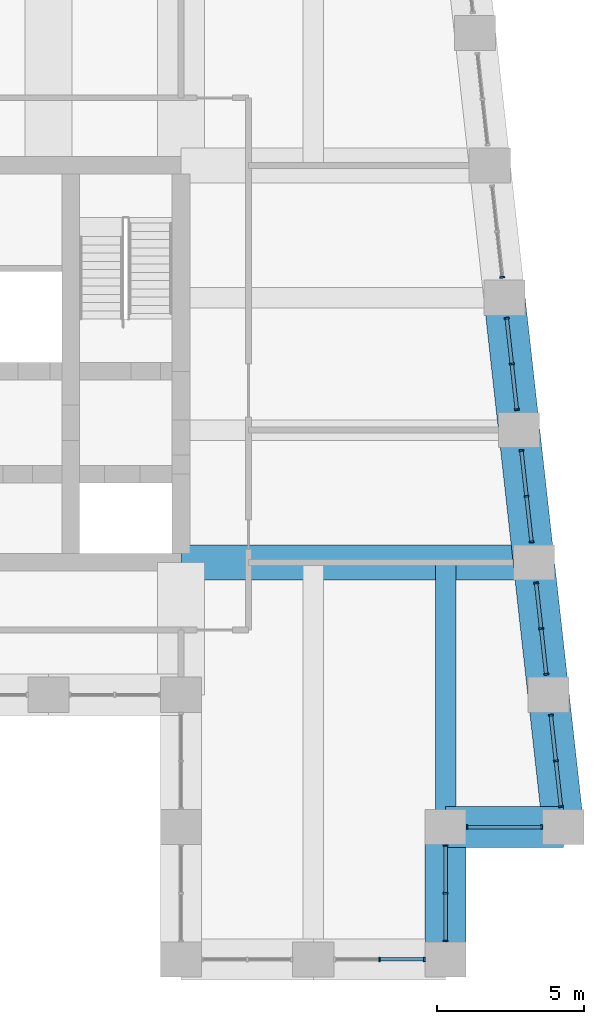
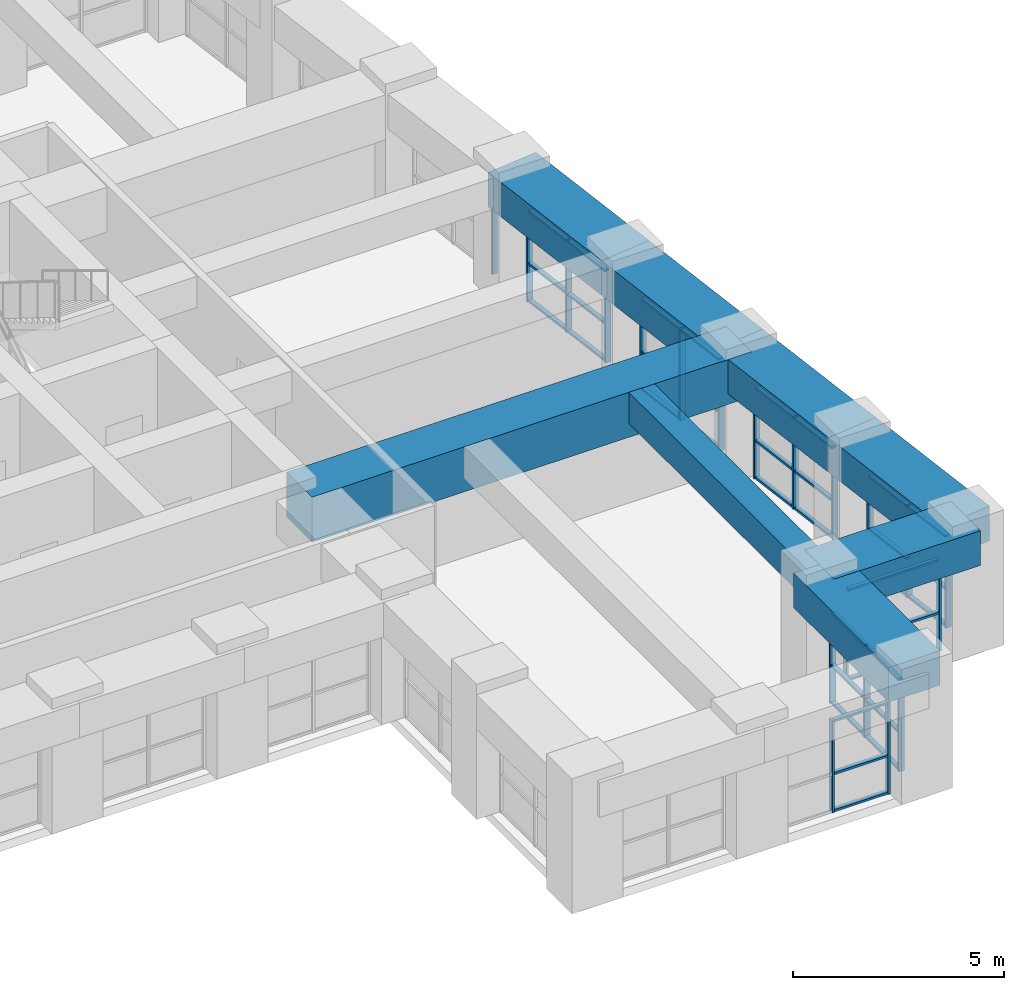
# One storey, part 6 of 15: 56 members, 8 beams, 8 elements without a shape of their own.
"""IFC4 building model written with IfcOpenShell, lengths in metres."""

from ifc_helpers import new_model, si_unit, direction, frame, origin, origin_2d, place, context, subcontext, project, spatial, rectangle, extrude, material, material_profile, profile_set, type_object, element, aggregate, save


model = new_model("IFC4")

# Units and contexts
model_context = context("Model", 3, precision=1e-05, world=origin(), true_north=direction((0.0, 1.0)))
body_context = subcontext(model_context, "Body", "Model", "MODEL_VIEW")
ifc_project = project(units=[si_unit("LENGTHUNIT", "METRE"), si_unit("AREAUNIT", "SQUARE_METRE"), si_unit("VOLUMEUNIT", "CUBIC_METRE"), si_unit("PLANEANGLEUNIT", "RADIAN"), si_unit("MASSUNIT", "GRAM", prefix="KILO")], contexts=[model_context])

# Site, building, storey
site_placement = place(None, origin())
site = spatial("IfcSite", under=ifc_project, at=site_placement, CompositionType="ELEMENT")
building_placement = place(site_placement, origin())
building = spatial("IfcBuilding", under=site, at=building_placement, Name="Kilele Tower Hotel", CompositionType="ELEMENT")
storey_placement = place(building_placement, frame((0.0, 0.0, 285.800048828125)))
storey = spatial("IfcBuildingStorey", under=building, at=storey_placement, Name="L73", CompositionType="ELEMENT", Elevation=285.800048828125)

# Beams
ifc_material_1 = material(Name="Concrete C60/75", Category="concrete")
ifc_material_profile_1 = material_profile(ifc_material_1, rectangle(XDim=0.699951171875, YDim=0.89990234375, at=origin_2d()))
ifc_profile_set_1 = profile_set([ifc_material_profile_1], Name="Concrete C60/75")
beam_type_1 = type_object("IfcBeamType", Name="Beam RC 700x900 C60/75 mid span", PredefinedType="BEAM", material=ifc_profile_set_1)
beam_1_placement = place(storey_placement, frame((45.0, 4.5, 3.14990234375), z_axis=(0.0, 1.0, 0.0), x_axis=(-1.0, 0.0, 0.0)))
element("IfcBeam", 1, at=beam_1_placement, inside=storey, type_object=beam_type_1, Name="Beam B2 level CROWN", PredefinedType="BEAM", context=body_context, shape_type="SweptSolid", body=[
    extrude(rectangle(XDim=0.699951171875, YDim=0.89990234375, at=origin_2d()), origin(), (0.0, 0.0, 1.0), 9.0),
])
ifc_material_2 = material(Name="Concrete C60/75", Category="concrete")
ifc_material_profile_2 = material_profile(ifc_material_2, rectangle(XDim=1.199951171875, YDim=1.300048828125, at=origin_2d()))
ifc_profile_set_2 = profile_set([ifc_material_profile_2], Name="Concrete C60/75")
beam_type_2 = type_object("IfcBeamType", Name="Girder RC 1200x1300 C60/75", PredefinedType="BEAM", material=ifc_profile_set_2)
beam_2_placement = place(storey_placement, frame((48.0, 13.5, 2.949951171875), z_axis=(-1.0, 0.0, 0.0), x_axis=(0.0, -1.0, 0.0)))
element("IfcBeam", 2, at=beam_2_placement, inside=storey, type_object=beam_type_2, Name="Girder G1 level CROWN", PredefinedType="BEAM", context=body_context, shape_type="SweptSolid", body=[
    extrude(rectangle(XDim=1.199951171875, YDim=1.300048828125, at=origin_2d()), origin(), (0.0, 0.0, 1.0), 12.0),
])

# Curtain wall, members
ifc_material_3 = material(Name="Aluminium curtain wall, clear double glazing", Category="aluminium")
curtain_wall_type = type_object("IfcCurtainWallType", Name="Sky bar curtain wall CW-6", PredefinedType="NOTDEFINED", material=ifc_material_3)
curtain_wall_1_placement = place(storey_placement, origin())
curtain_wall_1 = element("IfcCurtainWall", 3, at=curtain_wall_1_placement, inside=storey, type_object=curtain_wall_type, Name="Sky bar curtain wall CW-6 L73", PredefinedType="NOTDEFINED")
ifc_material_4 = material(Name="Aluminium EN AW-6063 T6", Category="aluminium")
ifc_material_profile_3 = material_profile(ifc_material_4, rectangle(XDim=0.159912109375, YDim=0.06005859375, at=origin_2d()))
ifc_profile_set_3 = profile_set([ifc_material_profile_3], Name="Aluminium EN AW-6063 T6")
member_type_1 = type_object("IfcMemberType", Name="Mullion 60x160 CW-6", PredefinedType="MULLION", material=ifc_profile_set_3)
member_1_placement = place(storey_placement, frame((42.75, 0.0, 0.0), z_axis=(0.0, 0.0, 1.0), x_axis=(0.0, 1.0, 0.0)))
member_1 = element("IfcMember", 4, at=member_1_placement, type_object=member_type_1, Name="CW-6 mullion 2", PredefinedType="MULLION", context=body_context, shape_type="SweptSolid", body=[
    extrude(rectangle(XDim=0.159912109375, YDim=0.06005859375, at=origin_2d()), origin(), (0.0, 0.0, 1.0), 2.64990234375),
])
member_2_placement = place(storey_placement, frame((44.27001953125, 0.0, 0.0), z_axis=(0.0, 0.0, 1.0), x_axis=(0.0, 1.0, 0.0)))
member_2 = element("IfcMember", 5, at=member_2_placement, type_object=member_type_1, Name="CW-6 mullion 3", PredefinedType="MULLION", context=body_context, shape_type="SweptSolid", body=[
    extrude(rectangle(XDim=0.159912109375, YDim=0.06005859375, at=origin_2d()), origin(), (0.0, 0.0, 1.0), 2.64990234375),
])

curtain_wall_2_placement = place(storey_placement, origin())
curtain_wall_2 = element("IfcCurtainWall", 6, at=curtain_wall_2_placement, inside=storey, type_object=curtain_wall_type, Name="Sky bar curtain wall CW-6 L73", PredefinedType="NOTDEFINED")
member_3_placement = place(storey_placement, frame((45.0, 0.6298828125, 0.0), z_axis=(0.0, 0.0, 1.0), x_axis=(-1.0, 0.0, 0.0)))
member_3 = element("IfcMember", 7, at=member_3_placement, type_object=member_type_1, Name="CW-6 mullion 1", PredefinedType="MULLION", context=body_context, shape_type="SweptSolid", body=[
    extrude(rectangle(XDim=0.159912109375, YDim=0.06005859375, at=origin_2d()), origin(), (0.0, 0.0, 1.0), 2.64990234375),
])
member_4_placement = place(storey_placement, frame((45.0, 2.25, 0.0), z_axis=(0.0, 0.0, 1.0), x_axis=(-1.0, 0.0, 0.0)))
member_4 = element("IfcMember", 8, at=member_4_placement, type_object=member_type_1, Name="CW-6 mullion 2", PredefinedType="MULLION", context=body_context, shape_type="SweptSolid", body=[
    extrude(rectangle(XDim=0.159912109375, YDim=0.06005859375, at=origin_2d()), origin(), (0.0, 0.0, 1.0), 2.64990234375),
])
member_5_placement = place(storey_placement, frame((45.0, 3.8701171875, 0.0), z_axis=(0.0, 0.0, 1.0), x_axis=(-1.0, 0.0, 0.0)))
member_5 = element("IfcMember", 9, at=member_5_placement, type_object=member_type_1, Name="CW-6 mullion 3", PredefinedType="MULLION", context=body_context, shape_type="SweptSolid", body=[
    extrude(rectangle(XDim=0.159912109375, YDim=0.06005859375, at=origin_2d()), origin(), (0.0, 0.0, 1.0), 2.64990234375),
])

curtain_wall_3_placement = place(storey_placement, origin())
curtain_wall_3 = element("IfcCurtainWall", 10, at=curtain_wall_3_placement, inside=storey, type_object=curtain_wall_type, Name="Sky bar curtain wall CW-6 L73", PredefinedType="NOTDEFINED")
member_6_placement = place(storey_placement, frame((45.72998046875, 4.5, 0.0), z_axis=(0.0, 0.0, 1.0), x_axis=(0.0, 1.0, 0.0)))
member_6 = element("IfcMember", 11, at=member_6_placement, type_object=member_type_1, Name="CW-6 mullion 1", PredefinedType="MULLION", context=body_context, shape_type="SweptSolid", body=[
    extrude(rectangle(XDim=0.159912109375, YDim=0.06005859375, at=origin_2d()), origin(), (0.0, 0.0, 1.0), 2.64990234375),
])
member_7_placement = place(storey_placement, frame((48.27001953125, 4.5, 0.0), z_axis=(0.0, 0.0, 1.0), x_axis=(0.0, 1.0, 0.0)))
member_7 = element("IfcMember", 12, at=member_7_placement, type_object=member_type_1, Name="CW-6 mullion 2", PredefinedType="MULLION", context=body_context, shape_type="SweptSolid", body=[
    extrude(rectangle(XDim=0.159912109375, YDim=0.06005859375, at=origin_2d()), origin(), (0.0, 0.0, 1.0), 2.64990234375),
])

curtain_wall_4_placement = place(storey_placement, origin())
curtain_wall_4 = element("IfcCurtainWall", 13, at=curtain_wall_4_placement, inside=storey, type_object=curtain_wall_type, Name="Sky bar curtain wall CW-6 L73", PredefinedType="NOTDEFINED")
member_8_placement = place(storey_placement, frame((48.92236328125, 5.19921875, 0.0), z_axis=(0.0, 0.0, 1.0), x_axis=(-0.993883734681, -0.110431526007, 0.0)))
member_8 = element("IfcMember", 14, at=member_8_placement, type_object=member_type_1, Name="CW-6 mullion 1", PredefinedType="MULLION", context=body_context, shape_type="SweptSolid", body=[
    extrude(rectangle(XDim=0.159912109375, YDim=0.06005859375, at=origin_2d()), origin(), (0.0, 0.0, 1.0), 2.64990234375),
])
member_9_placement = place(storey_placement, frame((48.75, 6.75, 0.0), z_axis=(0.0, 0.0, 1.0), x_axis=(-0.993883734681, -0.110431526007, 0.0)))
member_9 = element("IfcMember", 15, at=member_9_placement, type_object=member_type_1, Name="CW-6 mullion 2", PredefinedType="MULLION", context=body_context, shape_type="SweptSolid", body=[
    extrude(rectangle(XDim=0.159912109375, YDim=0.06005859375, at=origin_2d()), origin(), (0.0, 0.0, 1.0), 2.64990234375),
])
member_10_placement = place(storey_placement, frame((48.57763671875, 8.30078125, 0.0), z_axis=(0.0, 0.0, 1.0), x_axis=(-0.993883734681, -0.110431526007, 0.0)))
member_10 = element("IfcMember", 16, at=member_10_placement, type_object=member_type_1, Name="CW-6 mullion 3", PredefinedType="MULLION", context=body_context, shape_type="SweptSolid", body=[
    extrude(rectangle(XDim=0.159912109375, YDim=0.06005859375, at=origin_2d()), origin(), (0.0, 0.0, 1.0), 2.64990234375),
])

curtain_wall_5_placement = place(storey_placement, origin())
curtain_wall_5 = element("IfcCurtainWall", 17, at=curtain_wall_5_placement, inside=storey, type_object=curtain_wall_type, Name="Sky bar curtain wall CW-6 L73", PredefinedType="NOTDEFINED")
member_11_placement = place(storey_placement, frame((48.42236328125, 9.69921875, 0.0), z_axis=(0.0, 0.0, 1.0), x_axis=(-0.993883734681, -0.110431526007, 0.0)))
member_11 = element("IfcMember", 18, at=member_11_placement, type_object=member_type_1, Name="CW-6 mullion 1", PredefinedType="MULLION", context=body_context, shape_type="SweptSolid", body=[
    extrude(rectangle(XDim=0.159912109375, YDim=0.06005859375, at=origin_2d()), origin(), (0.0, 0.0, 1.0), 2.64990234375),
])
member_12_placement = place(storey_placement, frame((48.25, 11.25, 0.0), z_axis=(0.0, 0.0, 1.0), x_axis=(-0.993883734681, -0.110431526007, 0.0)))
member_12 = element("IfcMember", 19, at=member_12_placement, type_object=member_type_1, Name="CW-6 mullion 2", PredefinedType="MULLION", context=body_context, shape_type="SweptSolid", body=[
    extrude(rectangle(XDim=0.159912109375, YDim=0.06005859375, at=origin_2d()), origin(), (0.0, 0.0, 1.0), 2.64990234375),
])
member_13_placement = place(storey_placement, frame((48.07763671875, 12.80078125, 0.0), z_axis=(0.0, 0.0, 1.0), x_axis=(-0.993883734681, -0.110431526007, 0.0)))
member_13 = element("IfcMember", 20, at=member_13_placement, type_object=member_type_1, Name="CW-6 mullion 3", PredefinedType="MULLION", context=body_context, shape_type="SweptSolid", body=[
    extrude(rectangle(XDim=0.159912109375, YDim=0.06005859375, at=origin_2d()), origin(), (0.0, 0.0, 1.0), 2.64990234375),
])

curtain_wall_6_placement = place(storey_placement, origin())
curtain_wall_6 = element("IfcCurtainWall", 21, at=curtain_wall_6_placement, inside=storey, type_object=curtain_wall_type, Name="Sky bar curtain wall CW-6 L73", PredefinedType="NOTDEFINED")
member_14_placement = place(storey_placement, frame((47.92236328125, 14.19921875, 0.0), z_axis=(0.0, 0.0, 1.0), x_axis=(-0.993883734681, -0.110431526007, 0.0)))
member_14 = element("IfcMember", 22, at=member_14_placement, type_object=member_type_1, Name="CW-6 mullion 1", PredefinedType="MULLION", context=body_context, shape_type="SweptSolid", body=[
    extrude(rectangle(XDim=0.159912109375, YDim=0.06005859375, at=origin_2d()), origin(), (0.0, 0.0, 1.0), 2.64990234375),
])
member_15_placement = place(storey_placement, frame((47.75, 15.75, 0.0), z_axis=(0.0, 0.0, 1.0), x_axis=(-0.993883734681, -0.110431526007, 0.0)))
member_15 = element("IfcMember", 23, at=member_15_placement, type_object=member_type_1, Name="CW-6 mullion 2", PredefinedType="MULLION", context=body_context, shape_type="SweptSolid", body=[
    extrude(rectangle(XDim=0.159912109375, YDim=0.06005859375, at=origin_2d()), origin(), (0.0, 0.0, 1.0), 2.64990234375),
])
member_16_placement = place(storey_placement, frame((47.57763671875, 17.30078125, 0.0), z_axis=(0.0, 0.0, 1.0), x_axis=(-0.993883734681, -0.110431526007, 0.0)))
member_16 = element("IfcMember", 24, at=member_16_placement, type_object=member_type_1, Name="CW-6 mullion 3", PredefinedType="MULLION", context=body_context, shape_type="SweptSolid", body=[
    extrude(rectangle(XDim=0.159912109375, YDim=0.06005859375, at=origin_2d()), origin(), (0.0, 0.0, 1.0), 2.64990234375),
])

curtain_wall_7_placement = place(storey_placement, origin())
curtain_wall_7 = element("IfcCurtainWall", 25, at=curtain_wall_7_placement, inside=storey, type_object=curtain_wall_type, Name="Sky bar curtain wall CW-6 L73", PredefinedType="NOTDEFINED")
member_17_placement = place(storey_placement, frame((47.42236328125, 18.69921875, 0.0), z_axis=(0.0, 0.0, 1.0), x_axis=(-0.993883734681, -0.110431526007, 0.0)))
member_17 = element("IfcMember", 26, at=member_17_placement, type_object=member_type_1, Name="CW-6 mullion 1", PredefinedType="MULLION", context=body_context, shape_type="SweptSolid", body=[
    extrude(rectangle(XDim=0.159912109375, YDim=0.06005859375, at=origin_2d()), origin(), (0.0, 0.0, 1.0), 2.64990234375),
])
member_18_placement = place(storey_placement, frame((47.25, 20.25, 0.0), z_axis=(0.0, 0.0, 1.0), x_axis=(-0.993883734681, -0.110431526007, 0.0)))
member_18 = element("IfcMember", 27, at=member_18_placement, type_object=member_type_1, Name="CW-6 mullion 2", PredefinedType="MULLION", context=body_context, shape_type="SweptSolid", body=[
    extrude(rectangle(XDim=0.159912109375, YDim=0.06005859375, at=origin_2d()), origin(), (0.0, 0.0, 1.0), 2.64990234375),
])
member_19_placement = place(storey_placement, frame((47.07763671875, 21.80078125, 0.0), z_axis=(0.0, 0.0, 1.0), x_axis=(-0.993883734681, -0.110431526007, 0.0)))
member_19 = element("IfcMember", 28, at=member_19_placement, type_object=member_type_1, Name="CW-6 mullion 3", PredefinedType="MULLION", context=body_context, shape_type="SweptSolid", body=[
    extrude(rectangle(XDim=0.159912109375, YDim=0.06005859375, at=origin_2d()), origin(), (0.0, 0.0, 1.0), 2.64990234375),
])

# Curtain wall, member
curtain_wall_8_placement = place(storey_placement, origin())
curtain_wall_8 = element("IfcCurtainWall", 29, at=curtain_wall_8_placement, inside=storey, type_object=curtain_wall_type, Name="Sky bar curtain wall CW-6 L73", PredefinedType="NOTDEFINED")
member_20_placement = place(storey_placement, frame((46.92236328125, 23.19921875, 0.0), z_axis=(0.0, 0.0, 1.0), x_axis=(-0.993883734681, -0.110431526007, 0.0)))
member_20 = element("IfcMember", 30, at=member_20_placement, type_object=member_type_1, Name="CW-6 mullion 1", PredefinedType="MULLION", context=body_context, shape_type="SweptSolid", body=[
    extrude(rectangle(XDim=0.159912109375, YDim=0.06005859375, at=origin_2d()), origin(), (0.0, 0.0, 1.0), 2.64990234375),
])
aggregate(curtain_wall_8, [member_20])

# Beams
ifc_material_5 = material(Name="Concrete C60/75", Category="concrete")
ifc_material_profile_4 = material_profile(ifc_material_5, rectangle(XDim=1.39990234375, YDim=1.0, at=origin_2d()))
ifc_profile_set_4 = profile_set([ifc_material_profile_4], Name="Concrete C60/75")
beam_type_3 = type_object("IfcBeamType", Name="Spandrel RC 1400x1000 C60/75", PredefinedType="SPANDREL", material=ifc_profile_set_4)
beam_3_placement = place(storey_placement, frame((45.0, 0.0, 3.099853515625), z_axis=(0.0, 1.0, 0.0), x_axis=(-1.0, 0.0, 0.0)))
element("IfcBeam", 31, at=beam_3_placement, inside=storey, type_object=beam_type_3, Name="Spandrel SP1 level CROWN", PredefinedType="SPANDREL", context=body_context, shape_type="SweptSolid", body=[
    extrude(rectangle(XDim=1.39990234375, YDim=1.0, at=origin_2d()), origin(), (0.0, 0.0, 1.0), 4.5),
])
beam_4_placement = place(storey_placement, frame((45.0, 4.5, 3.099853515625), z_axis=(1.0, 0.0, 0.0), x_axis=(0.0, 1.0, 0.0)))
element("IfcBeam", 32, at=beam_4_placement, inside=storey, type_object=beam_type_3, Name="Spandrel SP1 level CROWN", PredefinedType="SPANDREL", context=body_context, shape_type="SweptSolid", body=[
    extrude(rectangle(XDim=1.39990234375, YDim=1.0, at=origin_2d()), origin(), (0.0, 0.0, 1.0), 4.0),
])
for number, where, z_axis, x_axis, name in (
    (33, (49.0, 4.5, 3.099853515625), (-0.110431526075, 0.993883734674, 0.0), (-0.993883734674, -0.110431526075, 0.0), "Spandrel SP1 level CROWN"),
    (34, (48.5, 9.0, 3.099853515625), (-0.110431526075, 0.993883734674, 0.0), (-0.993883734674, -0.110431526075, 0.0), "Spandrel SP1 level CROWN"),
    (35, (48.0, 13.5, 3.099853515625), (-0.110431526075, 0.993883734674, 0.0), (-0.993883734674, -0.110431526075, 0.0), "Spandrel SP1 level CROWN"),
    (36, (47.5, 18.0, 3.099853515625), (-0.110431526075, 0.993883734674, 0.0), (-0.993883734674, -0.110431526075, 0.0), "Spandrel SP1 level CROWN"),
):
    element("IfcBeam", number, at=place(storey_placement, frame(where, z_axis=z_axis, x_axis=x_axis)), inside=storey, type_object=beam_type_3, Name=name, PredefinedType="SPANDREL", context=body_context, shape_type="SweptSolid", body=[
        extrude(rectangle(XDim=1.39990234375, YDim=1.0, at=origin_2d()), origin(), (0.0, 0.0, 1.0), 4.527587890625),
    ])

# Member
ifc_material_6 = material(Name="Aluminium EN AW-6063 T6", Category="aluminium")
ifc_material_profile_5 = material_profile(ifc_material_6, rectangle(XDim=0.1201171875, YDim=0.06005859375, at=origin_2d()))
ifc_profile_set_5 = profile_set([ifc_material_profile_5], Name="Aluminium EN AW-6063 T6")
member_type_2 = type_object("IfcMemberType", Name="Transom 60x120 CW-6", PredefinedType="USERDEFINED", material=ifc_profile_set_5)
member_21_placement = place(storey_placement, frame((42.780029296875, 0.0, 0.030029296875), z_axis=(1.0, 0.0, 0.0), x_axis=(0.0, 1.0, 0.0)))
member_21 = element("IfcMember", 37, at=member_21_placement, type_object=member_type_2, Name="CW-6 transom 2.1", ObjectType="TRANSOM", PredefinedType="USERDEFINED", context=body_context, shape_type="SweptSolid", body=[
    extrude(rectangle(XDim=0.1201171875, YDim=0.06005859375, at=origin_2d()), origin(), (0.0, 0.0, 1.0), 1.4599609375),
])

member_22_placement = place(storey_placement, frame((42.780029296875, 0.0, 1.099853515625), z_axis=(1.0, 0.0, 0.0), x_axis=(0.0, 1.0, 0.0)))
member_22 = element("IfcMember", 38, at=member_22_placement, type_object=member_type_2, Name="CW-6 transom 2.2", ObjectType="TRANSOM", PredefinedType="USERDEFINED", context=body_context, shape_type="SweptSolid", body=[
    extrude(rectangle(XDim=0.1201171875, YDim=0.06005859375, at=origin_2d()), origin(), (0.0, 0.0, 1.0), 1.4599609375),
])

member_23_placement = place(storey_placement, frame((42.780029296875, 0.0, 2.619873046875), z_axis=(1.0, 0.0, 0.0), x_axis=(0.0, 1.0, 0.0)))
member_23 = element("IfcMember", 39, at=member_23_placement, type_object=member_type_2, Name="CW-6 transom 2.3", ObjectType="TRANSOM", PredefinedType="USERDEFINED", context=body_context, shape_type="SweptSolid", body=[
    extrude(rectangle(XDim=0.1201171875, YDim=0.06005859375, at=origin_2d()), origin(), (0.0, 0.0, 1.0), 1.4599609375),
])

aggregate(curtain_wall_1, [member_1, member_2, member_21, member_22, member_23])

member_24_placement = place(storey_placement, frame((45.0, 0.659912109375, 0.030029296875), z_axis=(0.0, 1.0, 0.0), x_axis=(-1.0, 0.0, 0.0)))
member_24 = element("IfcMember", 40, at=member_24_placement, type_object=member_type_2, Name="CW-6 transom 1.1", ObjectType="TRANSOM", PredefinedType="USERDEFINED", context=body_context, shape_type="SweptSolid", body=[
    extrude(rectangle(XDim=0.1201171875, YDim=0.06005859375, at=origin_2d()), origin(), (0.0, 0.0, 1.0), 1.56005859375),
])

member_25_placement = place(storey_placement, frame((45.0, 0.659912109375, 1.099853515625), z_axis=(0.0, 1.0, 0.0), x_axis=(-1.0, 0.0, 0.0)))
member_25 = element("IfcMember", 41, at=member_25_placement, type_object=member_type_2, Name="CW-6 transom 1.2", ObjectType="TRANSOM", PredefinedType="USERDEFINED", context=body_context, shape_type="SweptSolid", body=[
    extrude(rectangle(XDim=0.1201171875, YDim=0.06005859375, at=origin_2d()), origin(), (0.0, 0.0, 1.0), 1.56005859375),
])

member_26_placement = place(storey_placement, frame((45.0, 0.659912109375, 2.619873046875), z_axis=(0.0, 1.0, 0.0), x_axis=(-1.0, 0.0, 0.0)))
member_26 = element("IfcMember", 42, at=member_26_placement, type_object=member_type_2, Name="CW-6 transom 1.3", ObjectType="TRANSOM", PredefinedType="USERDEFINED", context=body_context, shape_type="SweptSolid", body=[
    extrude(rectangle(XDim=0.1201171875, YDim=0.06005859375, at=origin_2d()), origin(), (0.0, 0.0, 1.0), 1.56005859375),
])

member_27_placement = place(storey_placement, frame((45.0, 2.280029296875, 0.030029296875), z_axis=(0.0, 1.0, 0.0), x_axis=(-1.0, 0.0, 0.0)))
member_27 = element("IfcMember", 43, at=member_27_placement, type_object=member_type_2, Name="CW-6 transom 2.1", ObjectType="TRANSOM", PredefinedType="USERDEFINED", context=body_context, shape_type="SweptSolid", body=[
    extrude(rectangle(XDim=0.1201171875, YDim=0.06005859375, at=origin_2d()), origin(), (0.0, 0.0, 1.0), 1.56005859375),
])

member_28_placement = place(storey_placement, frame((45.0, 2.280029296875, 1.099853515625), z_axis=(0.0, 1.0, 0.0), x_axis=(-1.0, 0.0, 0.0)))
member_28 = element("IfcMember", 44, at=member_28_placement, type_object=member_type_2, Name="CW-6 transom 2.2", ObjectType="TRANSOM", PredefinedType="USERDEFINED", context=body_context, shape_type="SweptSolid", body=[
    extrude(rectangle(XDim=0.1201171875, YDim=0.06005859375, at=origin_2d()), origin(), (0.0, 0.0, 1.0), 1.56005859375),
])

member_29_placement = place(storey_placement, frame((45.0, 2.280029296875, 2.619873046875), z_axis=(0.0, 1.0, 0.0), x_axis=(-1.0, 0.0, 0.0)))
member_29 = element("IfcMember", 45, at=member_29_placement, type_object=member_type_2, Name="CW-6 transom 2.3", ObjectType="TRANSOM", PredefinedType="USERDEFINED", context=body_context, shape_type="SweptSolid", body=[
    extrude(rectangle(XDim=0.1201171875, YDim=0.06005859375, at=origin_2d()), origin(), (0.0, 0.0, 1.0), 1.56005859375),
])

aggregate(curtain_wall_2, [member_3, member_4, member_5, member_24, member_25, member_26, member_27, member_28, member_29])

member_30_placement = place(storey_placement, frame((45.760009765625, 4.5, 0.030029296875), z_axis=(1.0, 0.0, 0.0), x_axis=(0.0, 1.0, 0.0)))
member_30 = element("IfcMember", 46, at=member_30_placement, type_object=member_type_2, Name="CW-6 transom 1.1", ObjectType="TRANSOM", PredefinedType="USERDEFINED", context=body_context, shape_type="SweptSolid", body=[
    extrude(rectangle(XDim=0.1201171875, YDim=0.06005859375, at=origin_2d()), origin(), (0.0, 0.0, 1.0), 2.47998046875),
])

member_31_placement = place(storey_placement, frame((45.760009765625, 4.5, 1.099853515625), z_axis=(1.0, 0.0, 0.0), x_axis=(0.0, 1.0, 0.0)))
member_31 = element("IfcMember", 47, at=member_31_placement, type_object=member_type_2, Name="CW-6 transom 1.2", ObjectType="TRANSOM", PredefinedType="USERDEFINED", context=body_context, shape_type="SweptSolid", body=[
    extrude(rectangle(XDim=0.1201171875, YDim=0.06005859375, at=origin_2d()), origin(), (0.0, 0.0, 1.0), 2.47998046875),
])

member_32_placement = place(storey_placement, frame((45.760009765625, 4.5, 2.619873046875), z_axis=(1.0, 0.0, 0.0), x_axis=(0.0, 1.0, 0.0)))
member_32 = element("IfcMember", 48, at=member_32_placement, type_object=member_type_2, Name="CW-6 transom 1.3", ObjectType="TRANSOM", PredefinedType="USERDEFINED", context=body_context, shape_type="SweptSolid", body=[
    extrude(rectangle(XDim=0.1201171875, YDim=0.06005859375, at=origin_2d()), origin(), (0.0, 0.0, 1.0), 2.47998046875),
])

aggregate(curtain_wall_3, [member_6, member_7, member_30, member_31, member_32])

member_33_placement = place(storey_placement, frame((48.9189453125, 5.229248046875, 0.030029296875), z_axis=(-0.110342213455, 0.993893654236, 0.0), x_axis=(-0.993893654236, -0.110342213455, 0.0)))
member_33 = element("IfcMember", 49, at=member_33_placement, type_object=member_type_2, Name="CW-6 transom 1.1", ObjectType="TRANSOM", PredefinedType="USERDEFINED", context=body_context, shape_type="SweptSolid", body=[
    extrude(rectangle(XDim=0.1201171875, YDim=0.06005859375, at=origin_2d()), origin(), (0.0, 0.0, 1.0), 1.500244140625),
])

member_34_placement = place(storey_placement, frame((48.9189453125, 5.229248046875, 1.099853515625), z_axis=(-0.110342213455, 0.993893654236, 0.0), x_axis=(-0.993893654236, -0.110342213455, 0.0)))
member_34 = element("IfcMember", 50, at=member_34_placement, type_object=member_type_2, Name="CW-6 transom 1.2", ObjectType="TRANSOM", PredefinedType="USERDEFINED", context=body_context, shape_type="SweptSolid", body=[
    extrude(rectangle(XDim=0.1201171875, YDim=0.06005859375, at=origin_2d()), origin(), (0.0, 0.0, 1.0), 1.500244140625),
])

member_35_placement = place(storey_placement, frame((48.9189453125, 5.229248046875, 2.619873046875), z_axis=(-0.110342213455, 0.993893654236, 0.0), x_axis=(-0.993893654236, -0.110342213455, 0.0)))
member_35 = element("IfcMember", 51, at=member_35_placement, type_object=member_type_2, Name="CW-6 transom 1.3", ObjectType="TRANSOM", PredefinedType="USERDEFINED", context=body_context, shape_type="SweptSolid", body=[
    extrude(rectangle(XDim=0.1201171875, YDim=0.06005859375, at=origin_2d()), origin(), (0.0, 0.0, 1.0), 1.500244140625),
])

member_36_placement = place(storey_placement, frame((48.74658203125, 6.77978515625, 0.030029296875), z_axis=(-0.110342213455, 0.993893654236, 0.0), x_axis=(-0.993893654236, -0.110342213455, 0.0)))
member_36 = element("IfcMember", 52, at=member_36_placement, type_object=member_type_2, Name="CW-6 transom 2.1", ObjectType="TRANSOM", PredefinedType="USERDEFINED", context=body_context, shape_type="SweptSolid", body=[
    extrude(rectangle(XDim=0.1201171875, YDim=0.06005859375, at=origin_2d()), origin(), (0.0, 0.0, 1.0), 1.500244140625),
])

member_37_placement = place(storey_placement, frame((48.74658203125, 6.77978515625, 1.099853515625), z_axis=(-0.110342213455, 0.993893654236, 0.0), x_axis=(-0.993893654236, -0.110342213455, 0.0)))
member_37 = element("IfcMember", 53, at=member_37_placement, type_object=member_type_2, Name="CW-6 transom 2.2", ObjectType="TRANSOM", PredefinedType="USERDEFINED", context=body_context, shape_type="SweptSolid", body=[
    extrude(rectangle(XDim=0.1201171875, YDim=0.06005859375, at=origin_2d()), origin(), (0.0, 0.0, 1.0), 1.500244140625),
])

member_38_placement = place(storey_placement, frame((48.74658203125, 6.77978515625, 2.619873046875), z_axis=(-0.110342213455, 0.993893654236, 0.0), x_axis=(-0.993893654236, -0.110342213455, 0.0)))
member_38 = element("IfcMember", 54, at=member_38_placement, type_object=member_type_2, Name="CW-6 transom 2.3", ObjectType="TRANSOM", PredefinedType="USERDEFINED", context=body_context, shape_type="SweptSolid", body=[
    extrude(rectangle(XDim=0.1201171875, YDim=0.06005859375, at=origin_2d()), origin(), (0.0, 0.0, 1.0), 1.500244140625),
])

aggregate(curtain_wall_4, [member_8, member_9, member_10, member_33, member_34, member_35, member_36, member_37, member_38])

member_39_placement = place(storey_placement, frame((48.4189453125, 9.729248046875, 0.030029296875), z_axis=(-0.110342213455, 0.993893654236, 0.0), x_axis=(-0.993893654236, -0.110342213455, 0.0)))
member_39 = element("IfcMember", 55, at=member_39_placement, type_object=member_type_2, Name="CW-6 transom 1.1", ObjectType="TRANSOM", PredefinedType="USERDEFINED", context=body_context, shape_type="SweptSolid", body=[
    extrude(rectangle(XDim=0.1201171875, YDim=0.06005859375, at=origin_2d()), origin(), (0.0, 0.0, 1.0), 1.500244140625),
])

member_40_placement = place(storey_placement, frame((48.4189453125, 9.729248046875, 1.099853515625), z_axis=(-0.110342213455, 0.993893654236, 0.0), x_axis=(-0.993893654236, -0.110342213455, 0.0)))
member_40 = element("IfcMember", 56, at=member_40_placement, type_object=member_type_2, Name="CW-6 transom 1.2", ObjectType="TRANSOM", PredefinedType="USERDEFINED", context=body_context, shape_type="SweptSolid", body=[
    extrude(rectangle(XDim=0.1201171875, YDim=0.06005859375, at=origin_2d()), origin(), (0.0, 0.0, 1.0), 1.500244140625),
])

member_41_placement = place(storey_placement, frame((48.4189453125, 9.729248046875, 2.619873046875), z_axis=(-0.110342213455, 0.993893654236, 0.0), x_axis=(-0.993893654236, -0.110342213455, 0.0)))
member_41 = element("IfcMember", 57, at=member_41_placement, type_object=member_type_2, Name="CW-6 transom 1.3", ObjectType="TRANSOM", PredefinedType="USERDEFINED", context=body_context, shape_type="SweptSolid", body=[
    extrude(rectangle(XDim=0.1201171875, YDim=0.06005859375, at=origin_2d()), origin(), (0.0, 0.0, 1.0), 1.500244140625),
])

member_42_placement = place(storey_placement, frame((48.24658203125, 11.27978515625, 0.030029296875), z_axis=(-0.110342213455, 0.993893654236, 0.0), x_axis=(-0.993893654236, -0.110342213455, 0.0)))
member_42 = element("IfcMember", 58, at=member_42_placement, type_object=member_type_2, Name="CW-6 transom 2.1", ObjectType="TRANSOM", PredefinedType="USERDEFINED", context=body_context, shape_type="SweptSolid", body=[
    extrude(rectangle(XDim=0.1201171875, YDim=0.06005859375, at=origin_2d()), origin(), (0.0, 0.0, 1.0), 1.500244140625),
])

member_43_placement = place(storey_placement, frame((48.24658203125, 11.27978515625, 1.099853515625), z_axis=(-0.110342213455, 0.993893654236, 0.0), x_axis=(-0.993893654236, -0.110342213455, 0.0)))
member_43 = element("IfcMember", 59, at=member_43_placement, type_object=member_type_2, Name="CW-6 transom 2.2", ObjectType="TRANSOM", PredefinedType="USERDEFINED", context=body_context, shape_type="SweptSolid", body=[
    extrude(rectangle(XDim=0.1201171875, YDim=0.06005859375, at=origin_2d()), origin(), (0.0, 0.0, 1.0), 1.500244140625),
])

member_44_placement = place(storey_placement, frame((48.24658203125, 11.27978515625, 2.619873046875), z_axis=(-0.110342213455, 0.993893654236, 0.0), x_axis=(-0.993893654236, -0.110342213455, 0.0)))
member_44 = element("IfcMember", 60, at=member_44_placement, type_object=member_type_2, Name="CW-6 transom 2.3", ObjectType="TRANSOM", PredefinedType="USERDEFINED", context=body_context, shape_type="SweptSolid", body=[
    extrude(rectangle(XDim=0.1201171875, YDim=0.06005859375, at=origin_2d()), origin(), (0.0, 0.0, 1.0), 1.500244140625),
])

aggregate(curtain_wall_5, [member_11, member_12, member_13, member_39, member_40, member_41, member_42, member_43, member_44])

member_45_placement = place(storey_placement, frame((47.9189453125, 14.229248046875, 0.030029296875), z_axis=(-0.110342213455, 0.993893654236, 0.0), x_axis=(-0.993893654236, -0.110342213455, 0.0)))
member_45 = element("IfcMember", 61, at=member_45_placement, type_object=member_type_2, Name="CW-6 transom 1.1", ObjectType="TRANSOM", PredefinedType="USERDEFINED", context=body_context, shape_type="SweptSolid", body=[
    extrude(rectangle(XDim=0.1201171875, YDim=0.06005859375, at=origin_2d()), origin(), (0.0, 0.0, 1.0), 1.500244140625),
])

member_46_placement = place(storey_placement, frame((47.9189453125, 14.229248046875, 1.099853515625), z_axis=(-0.110342213455, 0.993893654236, 0.0), x_axis=(-0.993893654236, -0.110342213455, 0.0)))
member_46 = element("IfcMember", 62, at=member_46_placement, type_object=member_type_2, Name="CW-6 transom 1.2", ObjectType="TRANSOM", PredefinedType="USERDEFINED", context=body_context, shape_type="SweptSolid", body=[
    extrude(rectangle(XDim=0.1201171875, YDim=0.06005859375, at=origin_2d()), origin(), (0.0, 0.0, 1.0), 1.500244140625),
])

member_47_placement = place(storey_placement, frame((47.9189453125, 14.229248046875, 2.619873046875), z_axis=(-0.110342213455, 0.993893654236, 0.0), x_axis=(-0.993893654236, -0.110342213455, 0.0)))
member_47 = element("IfcMember", 63, at=member_47_placement, type_object=member_type_2, Name="CW-6 transom 1.3", ObjectType="TRANSOM", PredefinedType="USERDEFINED", context=body_context, shape_type="SweptSolid", body=[
    extrude(rectangle(XDim=0.1201171875, YDim=0.06005859375, at=origin_2d()), origin(), (0.0, 0.0, 1.0), 1.500244140625),
])

member_48_placement = place(storey_placement, frame((47.74658203125, 15.77978515625, 0.030029296875), z_axis=(-0.110342213455, 0.993893654236, 0.0), x_axis=(-0.993893654236, -0.110342213455, 0.0)))
member_48 = element("IfcMember", 64, at=member_48_placement, type_object=member_type_2, Name="CW-6 transom 2.1", ObjectType="TRANSOM", PredefinedType="USERDEFINED", context=body_context, shape_type="SweptSolid", body=[
    extrude(rectangle(XDim=0.1201171875, YDim=0.06005859375, at=origin_2d()), origin(), (0.0, 0.0, 1.0), 1.500244140625),
])

member_49_placement = place(storey_placement, frame((47.74658203125, 15.77978515625, 1.099853515625), z_axis=(-0.110342213455, 0.993893654236, 0.0), x_axis=(-0.993893654236, -0.110342213455, 0.0)))
member_49 = element("IfcMember", 65, at=member_49_placement, type_object=member_type_2, Name="CW-6 transom 2.2", ObjectType="TRANSOM", PredefinedType="USERDEFINED", context=body_context, shape_type="SweptSolid", body=[
    extrude(rectangle(XDim=0.1201171875, YDim=0.06005859375, at=origin_2d()), origin(), (0.0, 0.0, 1.0), 1.500244140625),
])

member_50_placement = place(storey_placement, frame((47.74658203125, 15.77978515625, 2.619873046875), z_axis=(-0.110342213455, 0.993893654236, 0.0), x_axis=(-0.993893654236, -0.110342213455, 0.0)))
member_50 = element("IfcMember", 66, at=member_50_placement, type_object=member_type_2, Name="CW-6 transom 2.3", ObjectType="TRANSOM", PredefinedType="USERDEFINED", context=body_context, shape_type="SweptSolid", body=[
    extrude(rectangle(XDim=0.1201171875, YDim=0.06005859375, at=origin_2d()), origin(), (0.0, 0.0, 1.0), 1.500244140625),
])

aggregate(curtain_wall_6, [member_14, member_15, member_16, member_45, member_46, member_47, member_48, member_49, member_50])

member_51_placement = place(storey_placement, frame((47.4189453125, 18.729248046875, 0.030029296875), z_axis=(-0.110342213455, 0.993893654236, 0.0), x_axis=(-0.993893654236, -0.110342213455, 0.0)))
member_51 = element("IfcMember", 67, at=member_51_placement, type_object=member_type_2, Name="CW-6 transom 1.1", ObjectType="TRANSOM", PredefinedType="USERDEFINED", context=body_context, shape_type="SweptSolid", body=[
    extrude(rectangle(XDim=0.1201171875, YDim=0.06005859375, at=origin_2d()), origin(), (0.0, 0.0, 1.0), 1.500244140625),
])

member_52_placement = place(storey_placement, frame((47.4189453125, 18.729248046875, 1.099853515625), z_axis=(-0.110342213455, 0.993893654236, 0.0), x_axis=(-0.993893654236, -0.110342213455, 0.0)))
member_52 = element("IfcMember", 68, at=member_52_placement, type_object=member_type_2, Name="CW-6 transom 1.2", ObjectType="TRANSOM", PredefinedType="USERDEFINED", context=body_context, shape_type="SweptSolid", body=[
    extrude(rectangle(XDim=0.1201171875, YDim=0.06005859375, at=origin_2d()), origin(), (0.0, 0.0, 1.0), 1.500244140625),
])

member_53_placement = place(storey_placement, frame((47.4189453125, 18.729248046875, 2.619873046875), z_axis=(-0.110342213455, 0.993893654236, 0.0), x_axis=(-0.993893654236, -0.110342213455, 0.0)))
member_53 = element("IfcMember", 69, at=member_53_placement, type_object=member_type_2, Name="CW-6 transom 1.3", ObjectType="TRANSOM", PredefinedType="USERDEFINED", context=body_context, shape_type="SweptSolid", body=[
    extrude(rectangle(XDim=0.1201171875, YDim=0.06005859375, at=origin_2d()), origin(), (0.0, 0.0, 1.0), 1.500244140625),
])

member_54_placement = place(storey_placement, frame((47.24658203125, 20.27978515625, 0.030029296875), z_axis=(-0.110342213455, 0.993893654236, 0.0), x_axis=(-0.993893654236, -0.110342213455, 0.0)))
member_54 = element("IfcMember", 70, at=member_54_placement, type_object=member_type_2, Name="CW-6 transom 2.1", ObjectType="TRANSOM", PredefinedType="USERDEFINED", context=body_context, shape_type="SweptSolid", body=[
    extrude(rectangle(XDim=0.1201171875, YDim=0.06005859375, at=origin_2d()), origin(), (0.0, 0.0, 1.0), 1.500244140625),
])

member_55_placement = place(storey_placement, frame((47.24658203125, 20.27978515625, 1.099853515625), z_axis=(-0.110342213455, 0.993893654236, 0.0), x_axis=(-0.993893654236, -0.110342213455, 0.0)))
member_55 = element("IfcMember", 71, at=member_55_placement, type_object=member_type_2, Name="CW-6 transom 2.2", ObjectType="TRANSOM", PredefinedType="USERDEFINED", context=body_context, shape_type="SweptSolid", body=[
    extrude(rectangle(XDim=0.1201171875, YDim=0.06005859375, at=origin_2d()), origin(), (0.0, 0.0, 1.0), 1.500244140625),
])

member_56_placement = place(storey_placement, frame((47.24658203125, 20.27978515625, 2.619873046875), z_axis=(-0.110342213455, 0.993893654236, 0.0), x_axis=(-0.993893654236, -0.110342213455, 0.0)))
member_56 = element("IfcMember", 72, at=member_56_placement, type_object=member_type_2, Name="CW-6 transom 2.3", ObjectType="TRANSOM", PredefinedType="USERDEFINED", context=body_context, shape_type="SweptSolid", body=[
    extrude(rectangle(XDim=0.1201171875, YDim=0.06005859375, at=origin_2d()), origin(), (0.0, 0.0, 1.0), 1.500244140625),
])

aggregate(curtain_wall_7, [member_17, member_18, member_19, member_51, member_52, member_53, member_54, member_55, member_56])

save(model, "model.ifc")
